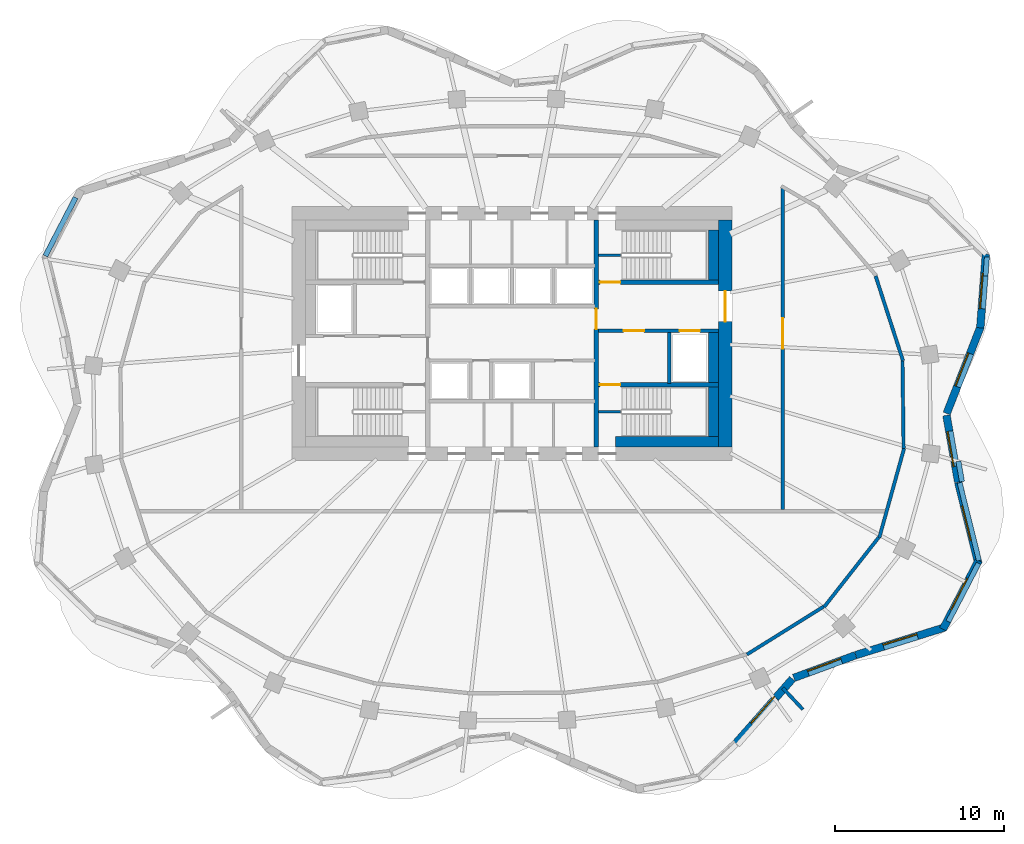
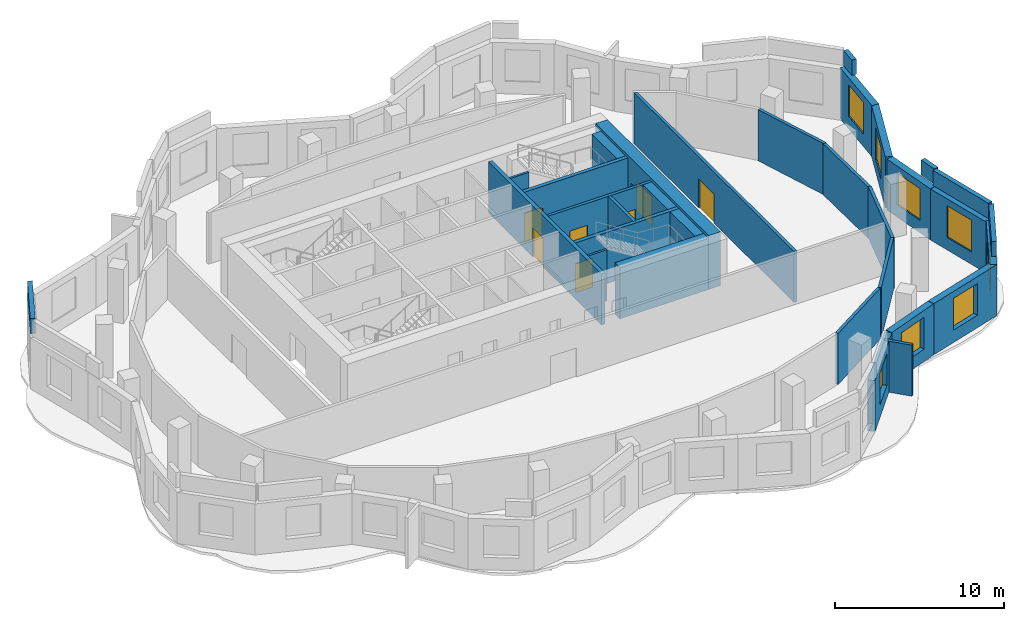
# One storey, part 5 of 8: 32 walls, 8 windows, 7 doors, 15 openings.
"""IFC4 building model written with IfcOpenShell, lengths in metres."""

import ifcopenshell
import ifcopenshell.guid

model = None  # the IFC model being written
_history = None  # IfcOwnerHistory: only IFC2X3 demands one
_inside = {}  # id of a spatial element -> (the spatial element, [elements in it])
_under = {}  # id of a project, library or spatial element -> (it, [spatial elements below it])
_declared = {}  # id of a project -> (the project, [libraries it declares])
_typed = {}  # id of a type object -> (the type object, [elements of that type])
_made_of = {}  # id of a material, layer set ... -> (it, [elements and type objects made of it])


def new_model(schema):
    """Start an empty IFC model of exactly this schema.

    Asked for "IFC4X3", IfcOpenShell would pick the latest addendum, in which some entities
    have other attributes; the version numbers below select the first issue.
    IFC2X3 requires an IfcOwnerHistory on every rooted entity: one is made here for all.
    """
    global model, _history
    if schema == "IFC4X3":
        model = ifcopenshell.file(schema_version=(4, 3, 0, 0))
    else:
        model = ifcopenshell.file(schema=schema)
    _inside.clear()
    _under.clear()
    _declared.clear()
    _typed.clear()
    _made_of.clear()
    _history = None
    if model.schema == "IFC2X3":
        org = make("IfcOrganization", Name="unknown")
        user = make(
            "IfcPersonAndOrganization",
            ThePerson=make("IfcPerson", FamilyName="unknown"),
            TheOrganization=org,
        )
        app = make(
            "IfcApplication",
            ApplicationDeveloper=org,
            Version="unknown",
            ApplicationFullName="unknown",
            ApplicationIdentifier="unknown",
        )
        _history = make(
            "IfcOwnerHistory",
            OwningUser=user,
            OwningApplication=app,
            ChangeAction="ADDED",
            CreationDate=0,
        )
    return model


def make(cls, **values):
    """One entity of the class cls with the attributes given. An attribute that is None is left unset."""
    return model.create_entity(
        cls, **{name: value for name, value in values.items() if value is not None}
    )


def rooted(cls, **values):
    """An entity with a GlobalId (a new one), such as an element, a storey or a relation."""
    return make(cls, GlobalId=ifcopenshell.guid.new(), OwnerHistory=_history, **values)


def si_unit(unit_type, name, prefix=None):
    """IfcSIUnit, for example si_unit("LENGTHUNIT", "METRE", prefix="MILLI")."""
    return make("IfcSIUnit", UnitType=unit_type, Prefix=prefix, Name=name)


def assignment(units):
    """IfcUnitAssignment: the units of a project."""
    return None if units is None else make("IfcUnitAssignment", Units=units)


def point(xyz):
    """IfcCartesianPoint."""
    return None if xyz is None else make("IfcCartesianPoint", Coordinates=xyz)


def direction(xyz):
    """IfcDirection."""
    return None if xyz is None else make("IfcDirection", DirectionRatios=xyz)


def frame(location, z_axis=None, x_axis=None):
    """IfcAxis2Placement3D, a coordinate frame: its origin and axes. An axis left out is left unset."""
    return make(
        "IfcAxis2Placement3D",
        Location=point(location),
        Axis=direction(z_axis),
        RefDirection=direction(x_axis),
    )


def frame_2d(location, x_axis=None):
    """IfcAxis2Placement2D, a coordinate frame in the plane: its origin and x axis."""
    return make(
        "IfcAxis2Placement2D", Location=point(location), RefDirection=direction(x_axis)
    )


def origin():
    """The frame at (0, 0, 0) with its axes left unset."""
    return frame((0.0, 0.0, 0.0))


def place(relative_to, where):
    """IfcLocalPlacement: puts the frame where relative to a parent placement (None: the world)."""
    return make(
        "IfcLocalPlacement", PlacementRelTo=relative_to, RelativePlacement=where
    )


def context(
    kind, dimensions, precision=None, world=None, true_north=None, identifier=None
):
    """IfcGeometricRepresentationContext, for example the 3D "Model" context."""
    return make(
        "IfcGeometricRepresentationContext",
        ContextIdentifier=identifier,
        ContextType=kind,
        CoordinateSpaceDimension=dimensions,
        Precision=precision,
        WorldCoordinateSystem=world,
        TrueNorth=true_north,
    )


def subcontext(parent, identifier, kind, view, scale=None):
    """IfcGeometricRepresentationSubContext, for example "Body" below "Model"."""
    return make(
        "IfcGeometricRepresentationSubContext",
        ContextIdentifier=identifier,
        ContextType=kind,
        ParentContext=parent,
        TargetScale=scale,
        TargetView=view,
    )


def project(units=None, contexts=None):
    """IfcProject with its units and contexts."""
    return rooted(
        "IfcProject",
        Name="project",
        RepresentationContexts=contexts,
        UnitsInContext=assignment(units),
    )


def spatial(cls, under=None, at=None, **own):
    """A site, building, storey or space (cls), placed at a placement, below another one or the project."""
    s = rooted(cls, ObjectPlacement=at, **own)
    if under is not None:
        _under.setdefault(under.id(), (under, []))[1].append(s)
    return s


def profile(cls, at=None, kind="AREA", **sizes):
    """A parametric profile (cls). Its sizes go by their IFC names, for example OverallWidth=200.0."""
    return make(cls, ProfileType=kind, Position=at, **sizes)


def rectangle(**sizes):
    """IfcRectangleProfileDef."""
    return profile("IfcRectangleProfileDef", **sizes)


def extrude(swept, where, along, depth):
    """IfcExtrudedAreaSolid: the profile swept, set in the frame where, extruded along a direction by depth."""
    return make(
        "IfcExtrudedAreaSolid",
        SweptArea=swept,
        Position=where,
        ExtrudedDirection=direction(along),
        Depth=depth,
    )


def shape(context_of_items, identifier, shape_type, items):
    """IfcShapeRepresentation: the items that make up one representation, for example the "Body"."""
    return make(
        "IfcShapeRepresentation",
        ContextOfItems=context_of_items,
        RepresentationIdentifier=identifier,
        RepresentationType=shape_type,
        Items=items,
    )


def material(Name=None, Category=None):
    """IfcMaterial."""
    return make("IfcMaterial", Name=Name, Category=Category)


def layer(
    of_material, thickness, ventilated=None, Name=None, Category=None, Priority=None
):
    """IfcMaterialLayer: one layer of a wall or slab, of a material (None: an air gap)."""
    return make(
        "IfcMaterialLayer",
        Material=of_material,
        LayerThickness=thickness,
        IsVentilated=ventilated,
        Name=Name,
        Category=Category,
        Priority=Priority,
    )


def layer_set(layers, Name=None):
    """IfcMaterialLayerSet."""
    return make("IfcMaterialLayerSet", MaterialLayers=layers, LayerSetName=Name)


def made_of(thing, what):
    """Note that an element or type object is made of a material, layer set ...; save() writes the relation."""
    if what is not None:
        _made_of.setdefault(what.id(), (what, []))[1].append(thing)
    return thing


def type_object(cls, material=None, **own):
    """A type object (cls), such as IfcWallType, which elements share."""
    return made_of(rooted(cls, **own), material)


def element(
    cls,
    number,
    at=None,
    inside=None,
    cuts=None,
    type_object=None,
    material=None,
    context=None,
    identifier="Body",
    shape_type=None,
    held_by="IfcProductDefinitionShape",
    body=None,
    shapes=None,
    **own,
):
    """One element of the class cls, such as IfcWall. Its Tag is "e" and its number.

    at: its placement. inside: the storey or other place that contains it. cuts: it is an
    opening in that element (IfcRelVoidsElement). A single representation is given by context,
    identifier, shape_type and body (its items); several are given by shapes. held_by: the class
    of the entity that holds the representations. save() writes the other relations.
    """
    e = rooted(cls, Tag="e%d" % number, ObjectPlacement=at, **own)
    if body is not None:
        shapes = [shape(context, identifier, shape_type, body)]
    if shapes is not None:
        e.Representation = make(held_by, Representations=shapes)
    if inside is not None:
        _inside.setdefault(inside.id(), (inside, []))[1].append(e)
    if cuts is not None:
        rooted(
            "IfcRelVoidsElement", RelatingBuildingElement=cuts, RelatedOpeningElement=e
        )
    if type_object is not None:
        _typed.setdefault(type_object.id(), (type_object, []))[1].append(e)
    return made_of(e, material)


def fill(opening, filler):
    """IfcRelFillsElement: the door or window that sits in an opening."""
    return rooted(
        "IfcRelFillsElement",
        RelatingOpeningElement=opening,
        RelatedBuildingElement=filler,
    )


def aggregate(whole, parts):
    """IfcRelAggregates: a whole, such as a stair, and the parts it consists of."""
    return rooted("IfcRelAggregates", RelatingObject=whole, RelatedObjects=parts)


def save(model, path):
    """Write the relations noted so far, then the file.

    IfcRelAggregates (storeys below a building ...), IfcRelContainedInSpatialStructure (elements
    in a storey), IfcRelDefinesByType, IfcRelAssociatesMaterial and IfcRelDeclares: one each for
    every whole, place, type object, material and project.
    """
    for whole, parts in _under.values():
        aggregate(whole, parts)
    for where, things in _inside.values():
        rooted(
            "IfcRelContainedInSpatialStructure",
            RelatedElements=things,
            RelatingStructure=where,
        )
    for kind, things in _typed.values():
        rooted("IfcRelDefinesByType", RelatedObjects=things, RelatingType=kind)
    for what, things in _made_of.values():
        rooted("IfcRelAssociatesMaterial", RelatedObjects=things, RelatingMaterial=what)
    for by, libraries in _declared.values():
        rooted("IfcRelDeclares", RelatingContext=by, RelatedDefinitions=libraries)
    model.write(path)


model = new_model("IFC4")

# Units and contexts
model_context = context("Model", 3, precision=1e-05, world=origin(), true_north=direction((0.0, 1.0)))
body_context = subcontext(model_context, "Body", "Model", "MODEL_VIEW")
ifc_project = project(units=[si_unit("LENGTHUNIT", "METRE"), si_unit("AREAUNIT", "SQUARE_METRE"), si_unit("VOLUMEUNIT", "CUBIC_METRE"), si_unit("PLANEANGLEUNIT", "RADIAN"), si_unit("MASSUNIT", "GRAM", prefix="KILO")], contexts=[model_context])

# Site, building, storey
site_placement = place(None, origin())
site = spatial("IfcSite", under=ifc_project, at=site_placement, CompositionType="ELEMENT")
building_placement = place(site_placement, origin())
building = spatial("IfcBuilding", under=site, at=building_placement, Name="Rubra Terraces Tower", CompositionType="ELEMENT")
storey_placement = place(building_placement, frame((0.0, 0.0, 240.89990234375)))
storey = spatial("IfcBuildingStorey", under=building, at=storey_placement, Name="L59", CompositionType="ELEMENT", Elevation=240.89990234375)

# Wall, opening, window
ifc_material_1 = material(Name="Brick masonry red-brown", Category="masonry")
ifc_layer_1 = layer(ifc_material_1, 0.449951171875)
ifc_layer_set_1 = layer_set([ifc_layer_1], Name="Brick masonry red-brown")
wall_type_1 = type_object("IfcWallType", Name="Brick facade wall 450", PredefinedType="SOLIDWALL", material=ifc_layer_set_1)
wall_1_placement = place(storey_placement, frame((25.68701171875, -0.226318359375, 0.0), z_axis=(0.0, 0.0, 1.0), x_axis=(0.363500194409, 0.931594122279, 0.0)))
wall_1 = element("IfcWall", 1, at=wall_1_placement, inside=storey, type_object=wall_type_1, Name="Facade wall L59 bay 1", PredefinedType="SOLIDWALL", context=body_context, shape_type="SweptSolid", body=[
    extrude(rectangle(XDim=5.498779296875, YDim=0.449951171875, at=frame_2d((2.74951171875, 0.0))), origin(), (0.0, 0.0, 1.0), 3.7001953125),
])
opening_1_placement = place(wall_1_placement, frame((1.69921875, 0.0, 0.89990234375)))
opening_1 = element("IfcOpeningElement", 2, at=opening_1_placement, cuts=wall_1, Name="Opening W1B", PredefinedType="OPENING", context=body_context, shape_type="SweptSolid", body=[
    extrude(rectangle(XDim=2.10009765625, YDim=2.300048828125, at=frame_2d((1.050048828125, 1.14990234375))), frame((0.0, 0.23486328125, 0.0), z_axis=(0.0, -1.0, 0.0), x_axis=(1.0, 0.0, 0.0)), (0.0, 0.0, 1.0), 0.469970703125),
])
ifc_material_2 = material(Name="Clear glass in aluminium frame", Category="aluminium")
window_type = type_object("IfcWindowType", Name="Fixed deep-set window tall storey 2100 x 2300", PartitioningType="SINGLE_PANEL", PredefinedType="WINDOW", material=ifc_material_2)
window_1_placement = place(opening_1_placement, origin())
window_1 = element("IfcWindow", 3, at=window_1_placement, inside=storey, type_object=window_type, Name="Window L59 bay 1", OverallHeight=2.300048828125, OverallWidth=2.10009765625, PartitioningType="SINGLE_PANEL", PredefinedType="WINDOW", context=body_context, shape_type="SweptSolid", body=[
    extrude(rectangle(XDim=2.10009765625, YDim=2.300048828125, at=frame_2d((1.050048828125, 1.14990234375))), frame((0.0, 0.135009765625, 0.0), z_axis=(0.0, -1.0, 0.0), x_axis=(1.0, 0.0, 0.0)), (0.0, 0.0, 1.0), 0.06005859375),
])
fill(opening_1, window_1)

wall_2_placement = place(storey_placement, frame((27.671142578125, 4.831298828125, 0.0), z_axis=(0.0, 0.0, 1.0), x_axis=(0.075658122047, 0.997133816781, 0.0)))
wall_2 = element("IfcWall", 4, at=wall_2_placement, inside=storey, type_object=wall_type_1, Name="Facade wall L59 bay 2", PredefinedType="SOLIDWALL", context=body_context, shape_type="SweptSolid", body=[
    extrude(rectangle(XDim=4.369140625, YDim=0.449951171875, at=frame_2d((2.1845703125, 0.0))), origin(), (0.0, 0.0, 1.0), 3.7001953125),
])
opening_2_placement = place(wall_2_placement, frame((1.134521484375, 0.0, 0.89990234375)))
opening_2 = element("IfcOpeningElement", 5, at=opening_2_placement, cuts=wall_2, Name="Opening W1B", PredefinedType="OPENING", context=body_context, shape_type="SweptSolid", body=[
    extrude(rectangle(XDim=2.10009765625, YDim=2.300048828125, at=frame_2d((1.050048828125, 1.14990234375))), frame((0.0, 0.23486328125, 0.0), z_axis=(0.0, -1.0, 0.0), x_axis=(1.0, 0.0, 0.0)), (0.0, 0.0, 1.0), 0.469970703125),
])
window_2_placement = place(opening_2_placement, origin())
window_2 = element("IfcWindow", 6, at=window_2_placement, inside=storey, type_object=window_type, Name="Window L59 bay 2", OverallHeight=2.300048828125, OverallWidth=2.10009765625, PartitioningType="SINGLE_PANEL", PredefinedType="WINDOW", context=body_context, shape_type="SweptSolid", body=[
    extrude(rectangle(XDim=2.10009765625, YDim=2.300048828125, at=frame_2d((1.050048828125, 1.14990234375))), frame((0.0, 0.135009765625, 0.0), z_axis=(0.0, -1.0, 0.0), x_axis=(1.0, 0.0, 0.0)), (0.0, 0.0, 1.0), 0.06005859375),
])
fill(opening_2, window_2)

wall_3_placement = place(storey_placement, frame((13.221435546875, -19.71923828125, 0.0), z_axis=(0.0, 0.0, 1.0), x_axis=(0.660424908916, 0.750892095899, 0.0)))
wall_3 = element("IfcWall", 7, at=wall_3_placement, inside=storey, type_object=wall_type_1, Name="Facade wall L59 bay 35", PredefinedType="SOLIDWALL", context=body_context, shape_type="SweptSolid", body=[
    extrude(rectangle(XDim=5.07080078125, YDim=0.449951171875, at=frame_2d((2.535400390625, 0.0))), origin(), (0.0, 0.0, 1.0), 3.7001953125),
])
opening_3_placement = place(wall_3_placement, frame((1.4853515625, 0.0, 0.89990234375)))
opening_3 = element("IfcOpeningElement", 8, at=opening_3_placement, cuts=wall_3, Name="Opening W1B", PredefinedType="OPENING", context=body_context, shape_type="SweptSolid", body=[
    extrude(rectangle(XDim=2.10009765625, YDim=2.300048828125, at=frame_2d((1.050048828125, 1.14990234375))), frame((0.0, 0.23486328125, 0.0), z_axis=(0.0, -1.0, 0.0), x_axis=(1.0, 0.0, 0.0)), (0.0, 0.0, 1.0), 0.469970703125),
])
window_3_placement = place(opening_3_placement, origin())
window_3 = element("IfcWindow", 9, at=window_3_placement, inside=storey, type_object=window_type, Name="Window L59 bay 35", OverallHeight=2.300048828125, OverallWidth=2.10009765625, PartitioningType="SINGLE_PANEL", PredefinedType="WINDOW", context=body_context, shape_type="SweptSolid", body=[
    extrude(rectangle(XDim=2.10009765625, YDim=2.300048828125, at=frame_2d((1.050048828125, 1.14990234375))), frame((0.0, 0.135009765625, 0.0), z_axis=(0.0, -1.0, 0.0), x_axis=(1.0, 0.0, 0.0)), (0.0, 0.0, 1.0), 0.06005859375),
])
fill(opening_3, window_3)

wall_4_placement = place(storey_placement, frame((16.654052734375, -15.85205078125, 0.0), z_axis=(0.0, 0.0, 1.0), x_axis=(0.938636568132, 0.344907803572, 0.0)))
wall_4 = element("IfcWall", 10, at=wall_4_placement, inside=storey, type_object=wall_type_1, Name="Facade wall L59 bay 36", PredefinedType="SOLIDWALL", context=body_context, shape_type="SweptSolid", body=[
    extrude(rectangle(XDim=3.887451171875, YDim=0.449951171875, at=frame_2d((1.94384765625, 0.0))), origin(), (0.0, 0.0, 1.0), 3.7001953125),
])
opening_4_placement = place(wall_4_placement, frame((0.893798828125, 0.0, 0.89990234375)))
opening_4 = element("IfcOpeningElement", 11, at=opening_4_placement, cuts=wall_4, Name="Opening W1B", PredefinedType="OPENING", context=body_context, shape_type="SweptSolid", body=[
    extrude(rectangle(XDim=2.10009765625, YDim=2.300048828125, at=frame_2d((1.050048828125, 1.14990234375))), frame((0.0, 0.23486328125, 0.0), z_axis=(0.0, -1.0, 0.0), x_axis=(1.0, 0.0, 0.0)), (0.0, 0.0, 1.0), 0.469970703125),
])
window_4_placement = place(opening_4_placement, origin())
window_4 = element("IfcWindow", 12, at=window_4_placement, inside=storey, type_object=window_type, Name="Window L59 bay 36", OverallHeight=2.300048828125, OverallWidth=2.10009765625, PartitioningType="SINGLE_PANEL", PredefinedType="WINDOW", context=body_context, shape_type="SweptSolid", body=[
    extrude(rectangle(XDim=2.10009765625, YDim=2.300048828125, at=frame_2d((1.050048828125, 1.14990234375))), frame((0.0, 0.135009765625, 0.0), z_axis=(0.0, -1.0, 0.0), x_axis=(1.0, 0.0, 0.0)), (0.0, 0.0, 1.0), 0.06005859375),
])
fill(opening_4, window_4)

wall_5_placement = place(storey_placement, frame((20.31591796875, -14.506591796875, 0.0), z_axis=(0.0, 0.0, 1.0), x_axis=(0.954807195185, 0.297225873743, 0.0)))
wall_5 = element("IfcWall", 13, at=wall_5_placement, inside=storey, type_object=wall_type_1, Name="Facade wall L59 bay 37", PredefinedType="SOLIDWALL", context=body_context, shape_type="SweptSolid", body=[
    extrude(rectangle(XDim=5.5263671875, YDim=0.449951171875, at=frame_2d((2.76318359375, 0.0))), origin(), (0.0, 0.0, 1.0), 3.7001953125),
])
opening_5_placement = place(wall_5_placement, frame((1.713134765625, 0.0, 0.89990234375)))
opening_5 = element("IfcOpeningElement", 14, at=opening_5_placement, cuts=wall_5, Name="Opening W1B", PredefinedType="OPENING", context=body_context, shape_type="SweptSolid", body=[
    extrude(rectangle(XDim=2.10009765625, YDim=2.300048828125, at=frame_2d((1.050048828125, 1.14990234375))), frame((0.0, 0.23486328125, 0.0), z_axis=(0.0, -1.0, 0.0), x_axis=(1.0, 0.0, 0.0)), (0.0, 0.0, 1.0), 0.469970703125),
])
window_5_placement = place(opening_5_placement, origin())
window_5 = element("IfcWindow", 15, at=window_5_placement, inside=storey, type_object=window_type, Name="Window L59 bay 37", OverallHeight=2.300048828125, OverallWidth=2.10009765625, PartitioningType="SINGLE_PANEL", PredefinedType="WINDOW", context=body_context, shape_type="SweptSolid", body=[
    extrude(rectangle(XDim=2.10009765625, YDim=2.300048828125, at=frame_2d((1.050048828125, 1.14990234375))), frame((0.0, 0.135009765625, 0.0), z_axis=(0.0, -1.0, 0.0), x_axis=(1.0, 0.0, 0.0)), (0.0, 0.0, 1.0), 0.06005859375),
])
fill(opening_5, window_5)

wall_6_placement = place(storey_placement, frame((25.46533203125, -12.97314453125, 0.0), z_axis=(0.0, 0.0, 1.0), x_axis=(0.461288789222, 0.887250050965, 0.0)))
wall_6 = element("IfcWall", 16, at=wall_6_placement, inside=storey, type_object=wall_type_1, Name="Facade wall L59 bay 38", PredefinedType="SOLIDWALL", context=body_context, shape_type="SweptSolid", body=[
    extrude(rectangle(XDim=4.568115234375, YDim=0.449951171875, at=frame_2d((2.2841796875, 0.0))), origin(), (0.0, 0.0, 1.0), 3.7001953125),
])
opening_6_placement = place(wall_6_placement, frame((1.23388671875, 0.0, 0.89990234375)))
opening_6 = element("IfcOpeningElement", 17, at=opening_6_placement, cuts=wall_6, Name="Opening W1B", PredefinedType="OPENING", context=body_context, shape_type="SweptSolid", body=[
    extrude(rectangle(XDim=2.10009765625, YDim=2.300048828125, at=frame_2d((1.050048828125, 1.14990234375))), frame((0.0, 0.23486328125, 0.0), z_axis=(0.0, -1.0, 0.0), x_axis=(1.0, 0.0, 0.0)), (0.0, 0.0, 1.0), 0.469970703125),
])
window_6_placement = place(opening_6_placement, origin())
window_6 = element("IfcWindow", 18, at=window_6_placement, inside=storey, type_object=window_type, Name="Window L59 bay 38", OverallHeight=2.300048828125, OverallWidth=2.10009765625, PartitioningType="SINGLE_PANEL", PredefinedType="WINDOW", context=body_context, shape_type="SweptSolid", body=[
    extrude(rectangle(XDim=2.10009765625, YDim=2.300048828125, at=frame_2d((1.050048828125, 1.14990234375))), frame((0.0, 0.135009765625, 0.0), z_axis=(0.0, -1.0, 0.0), x_axis=(1.0, 0.0, 0.0)), (0.0, 0.0, 1.0), 0.06005859375),
])
fill(opening_6, window_6)

wall_7_placement = place(storey_placement, frame((27.552001953125, -9.07177734375, 0.0), z_axis=(0.0, 0.0, 1.0), x_axis=(-0.240629941406, 0.970616933347, 0.0)))
wall_7 = element("IfcWall", 19, at=wall_7_placement, inside=storey, type_object=wall_type_1, Name="Facade wall L59 bay 39", PredefinedType="SOLIDWALL", context=body_context, shape_type="SweptSolid", body=[
    extrude(rectangle(XDim=4.91455078125, YDim=0.449951171875, at=frame_2d((2.457275390625, 0.0))), origin(), (0.0, 0.0, 1.0), 3.7001953125),
])
opening_7_placement = place(wall_7_placement, frame((1.407470703125, 0.0, 0.89990234375)))
opening_7 = element("IfcOpeningElement", 20, at=opening_7_placement, cuts=wall_7, Name="Opening W1B", PredefinedType="OPENING", context=body_context, shape_type="SweptSolid", body=[
    extrude(rectangle(XDim=2.10009765625, YDim=2.300048828125, at=frame_2d((1.050048828125, 1.14990234375))), frame((0.0, 0.23486328125, 0.0), z_axis=(0.0, -1.0, 0.0), x_axis=(1.0, 0.0, 0.0)), (0.0, 0.0, 1.0), 0.469970703125),
])
window_7_placement = place(opening_7_placement, origin())
window_7 = element("IfcWindow", 21, at=window_7_placement, inside=storey, type_object=window_type, Name="Window L59 bay 39", OverallHeight=2.300048828125, OverallWidth=2.10009765625, PartitioningType="SINGLE_PANEL", PredefinedType="WINDOW", context=body_context, shape_type="SweptSolid", body=[
    extrude(rectangle(XDim=2.10009765625, YDim=2.300048828125, at=frame_2d((1.050048828125, 1.14990234375))), frame((0.0, 0.135009765625, 0.0), z_axis=(0.0, -1.0, 0.0), x_axis=(1.0, 0.0, 0.0)), (0.0, 0.0, 1.0), 0.06005859375),
])
fill(opening_7, window_7)

wall_8_placement = place(storey_placement, frame((26.3662109375, -4.28466796875, 0.0), z_axis=(0.0, 0.0, 1.0), x_axis=(-0.172902168926, 0.984939003178, 0.0)))
wall_8 = element("IfcWall", 22, at=wall_8_placement, inside=storey, type_object=wall_type_1, Name="Facade wall L59 bay 40", PredefinedType="SOLIDWALL", context=body_context, shape_type="SweptSolid", body=[
    extrude(rectangle(XDim=4.005859375, YDim=0.449951171875, at=frame_2d((2.0029296875, 0.0))), origin(), (0.0, 0.0, 1.0), 3.7001953125),
])
opening_8_placement = place(wall_8_placement, frame((0.952880859375, 0.0, 0.89990234375)))
opening_8 = element("IfcOpeningElement", 23, at=opening_8_placement, cuts=wall_8, Name="Opening W1B", PredefinedType="OPENING", context=body_context, shape_type="SweptSolid", body=[
    extrude(rectangle(XDim=2.10009765625, YDim=2.300048828125, at=frame_2d((1.050048828125, 1.14990234375))), frame((0.0, 0.23486328125, 0.0), z_axis=(0.0, -1.0, 0.0), x_axis=(1.0, 0.0, 0.0)), (0.0, 0.0, 1.0), 0.469970703125),
])
window_8_placement = place(opening_8_placement, origin())
window_8 = element("IfcWindow", 24, at=window_8_placement, inside=storey, type_object=window_type, Name="Window L59 bay 40", OverallHeight=2.300048828125, OverallWidth=2.10009765625, PartitioningType="SINGLE_PANEL", PredefinedType="WINDOW", context=body_context, shape_type="SweptSolid", body=[
    extrude(rectangle(XDim=2.10009765625, YDim=2.300048828125, at=frame_2d((1.050048828125, 1.14990234375))), frame((0.0, 0.135009765625, 0.0), z_axis=(0.0, -1.0, 0.0), x_axis=(1.0, 0.0, 0.0)), (0.0, 0.0, 1.0), 0.06005859375),
])
fill(opening_8, window_8)

# Walls
ifc_layer_2 = layer(ifc_material_1, 0.300048828125)
ifc_layer_set_2 = layer_set([ifc_layer_2], Name="Brick masonry red-brown")
wall_type_2 = type_object("IfcWallType", Name="Brick parapet 300", PredefinedType="PARAPET", material=ifc_layer_set_2)
wall_9_placement = place(storey_placement, frame((27.978515625, 7.892333984375, 3.900146484375), z_axis=(0.0, 0.0, 1.0), x_axis=(0.075750382553, 0.997126812167, 0.0)))
element("IfcWall", 25, at=wall_9_placement, inside=storey, type_object=wall_type_2, Name="Parapet L59 bay 2", PredefinedType="PARAPET", context=body_context, shape_type="SweptSolid", body=[
    extrude(rectangle(XDim=1.124755859375, YDim=0.300048828125, at=frame_2d((0.5625, 0.0))), origin(), (0.0, 0.0, 1.0), 1.099853515625),
])
for number, where, z_axis, x_axis, name in (
    (26, (-25.781982421875, 12.52685546875, 3.900146484375), (0.0, 0.0, 1.0), (-0.461218103562, -0.88728679746, 0.0), "Parapet L59 bay 18"),
    (27, (25.781982421875, -12.52685546875, 3.900146484375), (0.0, 0.0, 1.0), (0.461218103562, 0.88728679746, 0.0), "Parapet L59 bay 38"),
):
    element("IfcWall", number, at=place(storey_placement, frame(where, z_axis=z_axis, x_axis=x_axis)), inside=storey, type_object=wall_type_2, Name=name, PredefinedType="PARAPET", context=body_context, shape_type="SweptSolid", body=[
        extrude(rectangle(XDim=3.8828125, YDim=0.300048828125, at=frame_2d((1.94140625, 0.0))), origin(), (0.0, 0.0, 1.0), 1.099853515625),
    ])
wall_10_placement = place(storey_placement, frame((27.591796875, -8.9208984375, 3.900146484375), z_axis=(0.0, 0.0, 1.0), x_axis=(-0.240669381496, 0.970607154729, 0.0)))
element("IfcWall", 28, at=wall_10_placement, inside=storey, type_object=wall_type_2, Name="Parapet L59 bay 39", PredefinedType="PARAPET", context=body_context, shape_type="SweptSolid", body=[
    extrude(rectangle(XDim=4.741455078125, YDim=0.300048828125, at=frame_2d((2.37060546875, 0.0))), origin(), (0.0, 0.0, 1.0), 1.099853515625),
])
wall_11_placement = place(storey_placement, frame((26.589111328125, -4.253662109375, 3.900146484375), z_axis=(0.0, 0.0, 1.0), x_axis=(-0.172857566704, 0.984946831881, 0.0)))
element("IfcWall", 29, at=wall_11_placement, inside=storey, type_object=wall_type_2, Name="Parapet L59 bay 40", PredefinedType="PARAPET", context=body_context, shape_type="SweptSolid", body=[
    extrude(rectangle(XDim=1.216064453125, YDim=0.300048828125, at=frame_2d((0.60791015625, 0.0))), origin(), (0.0, 0.0, 1.0), 1.099853515625),
])
ifc_layer_3 = layer(ifc_material_1, 0.199951171875)
ifc_layer_set_3 = layer_set([ifc_layer_3], Name="Brick masonry red-brown")
wall_type_3 = type_object("IfcWallType", Name="Brick wind fin 200", PredefinedType="SOLIDWALL", material=ifc_layer_set_3)
wall_12_placement = place(storey_placement, frame((15.9951171875, -16.444091796875, 0.0), z_axis=(0.0, 0.0, 1.0), x_axis=(0.683852936488, -0.729619874494, 0.0)))
element("IfcWall", 30, at=wall_12_placement, inside=storey, type_object=wall_type_3, Name="Wind fin L59 21", PredefinedType="SOLIDWALL", context=body_context, shape_type="SweptSolid", body=[
    extrude(rectangle(XDim=1.749755859375, YDim=0.199951171875, at=frame_2d((0.875, 0.0))), origin(), (0.0, 0.0, 1.0), 3.7001953125),
])

# Wall, opening, door
ifc_material_3 = material(Name="Concrete C50", Category="concrete")
ifc_layer_4 = layer(ifc_material_3, 0.800048828125)
ifc_layer_set_4 = layer_set([ifc_layer_4], Name="Concrete C50")
wall_type_4 = type_object("IfcWallType", Name="CORE WALL 800 C50", PredefinedType="SHEAR", material=ifc_layer_set_4)
wall_13_placement = place(storey_placement, frame((12.60009765625, -2.199951171875, 0.0), z_axis=(0.0, 0.0, 1.0), x_axis=(0.0, 1.0, 0.0)))
wall_13 = element("IfcWall", 31, at=wall_13_placement, inside=storey, type_object=wall_type_4, Name="CORE WALL E L59", PredefinedType="SHEAR", context=body_context, shape_type="SweptSolid", body=[
    extrude(rectangle(XDim=13.39990234375, YDim=0.800048828125, at=frame_2d((6.699951171875, 0.0))), origin(), (0.0, 0.0, 1.0), 3.900146484375),
])
opening_9_placement = place(wall_13_placement, frame((7.39990234375, 0.0, 0.0)))
opening_9 = element("IfcOpeningElement", 32, at=opening_9_placement, cuts=wall_13, Name="Opening L59.C02", PredefinedType="OPENING", context=body_context, shape_type="SweptSolid", body=[
    extrude(rectangle(XDim=1.800048828125, YDim=2.10009765625, at=frame_2d((0.89990234375, 1.050048828125))), frame((0.0, 0.409912109375, 0.0), z_axis=(0.0, -1.0, 0.0), x_axis=(1.0, 0.0, 0.0)), (0.0, 0.0, 1.0), 0.820068359375),
])
ifc_material_4 = material(Name="Painted steel", Category="steel")
door_type_1 = type_object("IfcDoorType", Name="Fire door 1800x2100 double", OperationType="NOTDEFINED", PredefinedType="DOOR", material=ifc_material_4)
door_1_placement = place(opening_9_placement, origin())
door_1 = element("IfcDoor", 33, at=door_1_placement, inside=storey, type_object=door_type_1, Name="Core entrance door FF2", OperationType="DOUBLE_DOOR_SINGLE_SWING", OverallHeight=2.10009765625, OverallWidth=1.800048828125, PredefinedType="DOOR", context=body_context, shape_type="SweptSolid", body=[
    extrude(rectangle(XDim=1.800048828125, YDim=2.10009765625, at=frame_2d((0.89990234375, 1.050048828125))), frame((0.0, 0.02490234375, 0.0), z_axis=(0.0, -1.0, 0.0), x_axis=(1.0, 0.0, 0.0)), (0.0, 0.0, 1.0), 0.050048828125),
])
fill(opening_9, door_1)

# Walls
ifc_material_5 = material(Name="Concrete C40", Category="concrete")
ifc_layer_5 = layer(ifc_material_5, 0.60009765625)
ifc_layer_set_5 = layer_set([ifc_layer_5], Name="Concrete C40")
wall_type_5 = type_object("IfcWallType", Name="Core lining wall 600 concrete", PredefinedType="SOLIDWALL", material=ifc_layer_set_5)
wall_14_placement = place(storey_placement, frame((11.89990234375, 10.60009765625, 0.0), z_axis=(0.0, 0.0, 1.0), x_axis=(0.0, -1.0, 0.0)))
element("IfcWall", 34, at=wall_14_placement, inside=storey, type_object=wall_type_5, Name="CORE LINING WALL L59", PredefinedType="SOLIDWALL", context=body_context, shape_type="SweptSolid", body=[
    extrude(rectangle(XDim=2.9501953125, YDim=0.60009765625, at=frame_2d((1.47509765625, 0.0))), origin(), (0.0, 0.0, 1.0), 3.7001953125),
])
wall_15_placement = place(storey_placement, frame((11.89990234375, 4.550048828125, 0.0), z_axis=(0.0, 0.0, 1.0), x_axis=(0.0, -1.0, 0.0)))
element("IfcWall", 35, at=wall_15_placement, inside=storey, type_object=wall_type_5, Name="CORE LINING WALL L59", PredefinedType="SOLIDWALL", context=body_context, shape_type="SweptSolid", body=[
    extrude(rectangle(XDim=3.0, YDim=0.60009765625, at=frame_2d((1.5, 0.0))), origin(), (0.0, 0.0, 1.0), 3.7001953125),
])
wall_16_placement = place(storey_placement, frame((11.89990234375, 1.35009765625, 0.0), z_axis=(0.0, 0.0, 1.0), x_axis=(0.0, -1.0, 0.0)))
element("IfcWall", 36, at=wall_16_placement, inside=storey, type_object=wall_type_5, Name="CORE LINING WALL L59", PredefinedType="SOLIDWALL", context=body_context, shape_type="SweptSolid", body=[
    extrude(rectangle(XDim=2.9501953125, YDim=0.60009765625, at=frame_2d((1.47509765625, 0.0))), origin(), (0.0, 0.0, 1.0), 3.7001953125),
])
wall_17_placement = place(storey_placement, frame((12.199951171875, -1.89990234375, 0.0), z_axis=(0.0, 0.0, 1.0), x_axis=(-1.0, 0.0, 0.0)))
element("IfcWall", 37, at=wall_17_placement, inside=storey, type_object=wall_type_5, Name="CORE LINING WALL L59", PredefinedType="SOLIDWALL", context=body_context, shape_type="SweptSolid", body=[
    extrude(rectangle(XDim=6.079833984375, YDim=0.60009765625, at=frame_2d((3.0400390625, 0.0))), origin(), (0.0, 0.0, 1.0), 3.7001953125),
])

# Wall, openings, doors
ifc_material_6 = material(Name="Concrete C30", Category="concrete")
ifc_layer_6 = layer(ifc_material_6, 0.199951171875)
ifc_layer_set_6 = layer_set([ifc_layer_6], Name="Concrete C30")
wall_type_6 = type_object("IfcWallType", Name="Core wall 200 concrete", PredefinedType="SOLIDWALL", material=ifc_layer_set_6)
wall_18_placement = place(storey_placement, frame((12.199951171875, 4.64990234375, 0.0), z_axis=(0.0, 0.0, 1.0), x_axis=(-1.0, 0.0, 0.0)))
wall_18 = element("IfcWall", 38, at=wall_18_placement, inside=storey, type_object=wall_type_6, Name="STAIR WALL L59", PredefinedType="SOLIDWALL", context=body_context, shape_type="SweptSolid", body=[
    extrude(rectangle(XDim=7.099853515625, YDim=0.199951171875, at=frame_2d((3.5498046875, 0.0))), origin(), (0.0, 0.0, 1.0), 3.7001953125),
])
opening_10_placement = place(wall_18_placement, frame((4.39990234375, 0.0, 0.0)))
opening_10 = element("IfcOpeningElement", 39, at=opening_10_placement, cuts=wall_18, Name="Opening L59.C06", PredefinedType="OPENING", context=body_context, shape_type="SweptSolid", body=[
    extrude(rectangle(XDim=1.199951171875, YDim=2.10009765625, at=frame_2d((0.60009765625, 1.050048828125))), frame((0.0, 0.10986328125, 0.0), z_axis=(0.0, -1.0, 0.0), x_axis=(1.0, 0.0, 0.0)), (0.0, 0.0, 1.0), 0.219970703125),
])
opening_11_placement = place(wall_18_placement, frame((1.10009765625, 0.0, 0.0)))
opening_11 = element("IfcOpeningElement", 40, at=opening_11_placement, cuts=wall_18, Name="Opening L59.C12", PredefinedType="OPENING", context=body_context, shape_type="SweptSolid", body=[
    extrude(rectangle(XDim=1.199951171875, YDim=2.10009765625, at=frame_2d((0.60009765625, 1.050048828125))), frame((0.0, 0.10986328125, 0.0), z_axis=(0.0, -1.0, 0.0), x_axis=(1.0, 0.0, 0.0)), (0.0, 0.0, 1.0), 0.219970703125),
])
door_type_2 = type_object("IfcDoorType", Name="Fire door 1200x2100 single", OperationType="NOTDEFINED", PredefinedType="DOOR", material=ifc_material_4)
door_2_placement = place(opening_10_placement, origin())
door_2 = element("IfcDoor", 41, at=door_2_placement, inside=storey, type_object=door_type_2, Name="Stair vestibule door S4", OperationType="SINGLE_SWING_RIGHT", OverallHeight=2.10009765625, OverallWidth=1.199951171875, PredefinedType="DOOR", context=body_context, shape_type="SweptSolid", body=[
    extrude(rectangle(XDim=1.199951171875, YDim=2.10009765625, at=frame_2d((0.60009765625, 1.050048828125))), frame((0.0, 0.02490234375, 0.0), z_axis=(0.0, -1.0, 0.0), x_axis=(1.0, 0.0, 0.0)), (0.0, 0.0, 1.0), 0.050048828125),
])
fill(opening_10, door_2)
ifc_material_7 = material(Name="Stainless steel", Category="steel")
door_type_3 = type_object("IfcDoorType", Name="Lift landing door 1200x2100", OperationType="NOTDEFINED", PredefinedType="DOOR", material=ifc_material_7)
door_3_placement = place(opening_11_placement, origin())
door_3 = element("IfcDoor", 42, at=door_3_placement, inside=storey, type_object=door_type_3, Name="Landing door FF2", OperationType="SLIDING_TO_RIGHT", OverallHeight=2.10009765625, OverallWidth=1.199951171875, PredefinedType="DOOR", context=body_context, shape_type="SweptSolid", body=[
    extrude(rectangle(XDim=1.199951171875, YDim=2.10009765625, at=frame_2d((0.60009765625, 1.050048828125))), frame((0.0, 0.02490234375, 0.0), z_axis=(0.0, -1.0, 0.0), x_axis=(1.0, 0.0, 0.0)), (0.0, 0.0, 1.0), 0.050048828125),
])
fill(opening_11, door_3)

# Walls
wall_19_placement = place(storey_placement, frame((9.300048828125, 4.550048828125, 0.0), z_axis=(0.0, 0.0, 1.0), x_axis=(0.0, -1.0, 0.0)))
element("IfcWall", 43, at=wall_19_placement, inside=storey, type_object=wall_type_6, Name="STAIR WALL L59", PredefinedType="SOLIDWALL", context=body_context, shape_type="SweptSolid", body=[
    extrude(rectangle(XDim=3.0, YDim=0.199951171875, at=frame_2d((1.5, 0.0))), origin(), (0.0, 0.0, 1.0), 3.7001953125),
])
ifc_material_8 = material(Name="Blockwork", Category="masonry")
ifc_layer_7 = layer(ifc_material_8, 0.199951171875)
ifc_layer_set_7 = layer_set([ifc_layer_7], Name="Blockwork")
wall_type_7 = type_object("IfcWallType", Name="Corridor partition 200 blockwork", PredefinedType="PARTITIONING", material=ifc_layer_set_7)
wall_20_placement = place(storey_placement, frame((23.1669921875, -2.294921875, 0.0), z_axis=(0.0, 0.0, 1.0), x_axis=(-0.267604764515, -0.963528769684, 0.0)))
element("IfcWall", 44, at=wall_20_placement, inside=storey, type_object=wall_type_7, Name="Partition wall", PredefinedType="PARTITIONING", context=body_context, shape_type="SweptSolid", body=[
    extrude(rectangle(XDim=5.474853515625, YDim=0.199951171875, at=frame_2d((2.7373046875, 0.0))), origin(), (0.0, 0.0, 1.0), 3.7001953125),
])
wall_21_placement = place(storey_placement, frame((21.6669921875, -7.552978515625, 0.0), z_axis=(0.0, 0.0, 1.0), x_axis=(-0.617143909163, -0.786850300491, 0.0)))
element("IfcWall", 45, at=wall_21_placement, inside=storey, type_object=wall_type_7, Name="Partition wall", PredefinedType="PARTITIONING", context=body_context, shape_type="SweptSolid", body=[
    extrude(rectangle(XDim=5.220703125, YDim=0.199951171875, at=frame_2d((2.6103515625, 0.0))), origin(), (0.0, 0.0, 1.0), 3.7001953125),
])
wall_22_placement = place(storey_placement, frame((18.422119140625, -11.635009765625, 0.0), z_axis=(0.0, 0.0, 1.0), x_axis=(-0.848223876435, -0.529637853108, 0.0)))
element("IfcWall", 46, at=wall_22_placement, inside=storey, type_object=wall_type_7, Name="Partition wall", PredefinedType="PARTITIONING", context=body_context, shape_type="SweptSolid", body=[
    extrude(rectangle(XDim=5.348876953125, YDim=0.199951171875, at=frame_2d((2.67431640625, 0.0))), origin(), (0.0, 0.0, 1.0), 3.7001953125),
])
wall_23_placement = place(storey_placement, frame((21.486083984375, 7.89501953125, 0.0), z_axis=(0.0, 0.0, 1.0), x_axis=(0.307481575482, -0.951554034587, 0.0)))
element("IfcWall", 47, at=wall_23_placement, inside=storey, type_object=wall_type_7, Name="Partition wall", PredefinedType="PARTITIONING", context=body_context, shape_type="SweptSolid", body=[
    extrude(rectangle(XDim=5.2587890625, YDim=0.199951171875, at=frame_2d((2.62939453125, 0.0))), origin(), (0.0, 0.0, 1.0), 3.7001953125),
])
wall_24_placement = place(storey_placement, frame((23.072998046875, 2.885986328125, 0.0), z_axis=(0.0, 0.0, 1.0), x_axis=(0.012731813994, -0.999918947171, 0.0)))
element("IfcWall", 48, at=wall_24_placement, inside=storey, type_object=wall_type_7, Name="Partition wall", PredefinedType="PARTITIONING", context=body_context, shape_type="SweptSolid", body=[
    extrude(rectangle(XDim=5.177490234375, YDim=0.199951171875, at=frame_2d((2.5888671875, 0.0))), origin(), (0.0, 0.0, 1.0), 3.7001953125),
])

# Wall, opening, door
wall_25_placement = place(storey_placement, frame((16.0, -5.89990234375, 0.0), z_axis=(0.0, 0.0, 1.0), x_axis=(0.0, 1.0, 0.0)))
wall_25 = element("IfcWall", 49, at=wall_25_placement, inside=storey, type_object=wall_type_7, Name="Partition wall", PredefinedType="PARTITIONING", context=body_context, shape_type="SweptSolid", body=[
    extrude(rectangle(XDim=18.951904296875, YDim=0.199951171875, at=frame_2d((9.47607421875, 0.0))), origin(), (0.0, 0.0, 1.0), 3.7001953125),
])
opening_12_placement = place(wall_25_placement, frame((9.5, 0.0, 0.0)))
opening_12 = element("IfcOpeningElement", 50, at=opening_12_placement, cuts=wall_25, Name="Opening DB3", PredefinedType="OPENING", context=body_context, shape_type="SweptSolid", body=[
    extrude(rectangle(XDim=1.800048828125, YDim=2.10009765625, at=frame_2d((0.89990234375, 1.050048828125))), frame((0.0, 0.10986328125, 0.0), z_axis=(0.0, -1.0, 0.0), x_axis=(1.0, 0.0, 0.0)), (0.0, 0.0, 1.0), 0.219970703125),
])
door_type_4 = type_object("IfcDoorType", Name="Door 1800x2100 double", OperationType="NOTDEFINED", PredefinedType="DOOR", material=ifc_material_4)
door_4_placement = place(opening_12_placement, origin())
door_4 = element("IfcDoor", 51, at=door_4_placement, inside=storey, type_object=door_type_4, Name="Refuge area door L59-03", OperationType="DOUBLE_DOOR_SINGLE_SWING", OverallHeight=2.10009765625, OverallWidth=1.800048828125, PredefinedType="DOOR", context=body_context, shape_type="SweptSolid", body=[
    extrude(rectangle(XDim=1.800048828125, YDim=2.10009765625, at=frame_2d((0.89990234375, 1.050048828125))), frame((0.0, 0.02490234375, 0.0), z_axis=(0.0, -1.0, 0.0), x_axis=(1.0, 0.0, 0.0)), (0.0, 0.0, 1.0), 0.050048828125),
])
fill(opening_12, door_4)

ifc_layer_8 = layer(ifc_material_5, 0.25)
ifc_layer_set_8 = layer_set([ifc_layer_8], Name="Concrete C40")
wall_type_8 = type_object("IfcWallType", Name="Stair enclosure wall 250 concrete", PredefinedType="SOLIDWALL", material=ifc_layer_set_8)
wall_26_placement = place(storey_placement, frame((12.199951171875, 7.52490234375, 0.0), z_axis=(0.0, 0.0, 1.0), x_axis=(-1.0, 0.0, 0.0)))
wall_26 = element("IfcWall", 52, at=wall_26_placement, inside=storey, type_object=wall_type_8, Name="STAIR WALL L59", PredefinedType="SOLIDWALL", context=body_context, shape_type="SweptSolid", body=[
    extrude(rectangle(XDim=7.099853515625, YDim=0.25, at=frame_2d((3.5498046875, 0.0))), origin(), (0.0, 0.0, 1.0), 3.7001953125),
])
opening_13_placement = place(wall_26_placement, frame((5.800048828125, 0.0, 0.0)))
opening_13 = element("IfcOpeningElement", 53, at=opening_13_placement, cuts=wall_26, Name="Opening L59.C08", PredefinedType="OPENING", context=body_context, shape_type="SweptSolid", body=[
    extrude(rectangle(XDim=1.199951171875, YDim=2.10009765625, at=frame_2d((0.60009765625, 1.050048828125))), frame((0.0, 0.135009765625, 0.0), z_axis=(0.0, -1.0, 0.0), x_axis=(1.0, 0.0, 0.0)), (0.0, 0.0, 1.0), 0.27001953125),
])
door_5_placement = place(opening_13_placement, origin())
door_5 = element("IfcDoor", 54, at=door_5_placement, inside=storey, type_object=door_type_2, Name="Stair door S3", OperationType="SINGLE_SWING_RIGHT", OverallHeight=2.10009765625, OverallWidth=1.199951171875, PredefinedType="DOOR", context=body_context, shape_type="SweptSolid", body=[
    extrude(rectangle(XDim=1.199951171875, YDim=2.10009765625, at=frame_2d((0.60009765625, 1.050048828125))), frame((0.0, 0.02490234375, 0.0), z_axis=(0.0, -1.0, 0.0), x_axis=(1.0, 0.0, 0.0)), (0.0, 0.0, 1.0), 0.050048828125),
])
fill(opening_13, door_5)

wall_27_placement = place(storey_placement, frame((12.199951171875, 1.47509765625, 0.0), z_axis=(0.0, 0.0, 1.0), x_axis=(-1.0, 0.0, 0.0)))
wall_27 = element("IfcWall", 55, at=wall_27_placement, inside=storey, type_object=wall_type_8, Name="STAIR WALL L59", PredefinedType="SOLIDWALL", context=body_context, shape_type="SweptSolid", body=[
    extrude(rectangle(XDim=7.099853515625, YDim=0.25, at=frame_2d((3.5498046875, 0.0))), origin(), (0.0, 0.0, 1.0), 3.7001953125),
])
opening_14_placement = place(wall_27_placement, frame((5.800048828125, 0.0, 0.0)))
opening_14 = element("IfcOpeningElement", 56, at=opening_14_placement, cuts=wall_27, Name="Opening L59.C10", PredefinedType="OPENING", context=body_context, shape_type="SweptSolid", body=[
    extrude(rectangle(XDim=1.199951171875, YDim=2.10009765625, at=frame_2d((0.60009765625, 1.050048828125))), frame((0.0, 0.135009765625, 0.0), z_axis=(0.0, -1.0, 0.0), x_axis=(1.0, 0.0, 0.0)), (0.0, 0.0, 1.0), 0.27001953125),
])
door_6_placement = place(opening_14_placement, origin())
door_6 = element("IfcDoor", 57, at=door_6_placement, inside=storey, type_object=door_type_2, Name="Stair door S4", OperationType="SINGLE_SWING_RIGHT", OverallHeight=2.10009765625, OverallWidth=1.199951171875, PredefinedType="DOOR", context=body_context, shape_type="SweptSolid", body=[
    extrude(rectangle(XDim=1.199951171875, YDim=2.10009765625, at=frame_2d((0.60009765625, 1.050048828125))), frame((0.0, 0.02490234375, 0.0), z_axis=(0.0, -1.0, 0.0), x_axis=(1.0, 0.0, 0.0)), (0.0, 0.0, 1.0), 0.050048828125),
])
fill(opening_14, door_6)

wall_28_placement = place(storey_placement, frame((4.97509765625, 11.199951171875, 0.0), z_axis=(0.0, 0.0, 1.0), x_axis=(0.0, -1.0, 0.0)))
wall_28 = element("IfcWall", 58, at=wall_28_placement, inside=storey, type_object=wall_type_8, Name="CORE LOBBY WALL L59", PredefinedType="SOLIDWALL", context=body_context, shape_type="SweptSolid", body=[
    extrude(rectangle(XDim=13.39990234375, YDim=0.25, at=frame_2d((6.699951171875, 0.0))), origin(), (0.0, 0.0, 1.0), 3.7001953125),
])
opening_15_placement = place(wall_28_placement, frame((5.25, 0.0, 0.0)))
opening_15 = element("IfcOpeningElement", 59, at=opening_15_placement, cuts=wall_28, Name="Opening L59.C04", PredefinedType="OPENING", context=body_context, shape_type="SweptSolid", body=[
    extrude(rectangle(XDim=1.199951171875, YDim=2.10009765625, at=frame_2d((0.60009765625, 1.050048828125))), frame((0.0, 0.135009765625, 0.0), z_axis=(0.0, -1.0, 0.0), x_axis=(1.0, 0.0, 0.0)), (0.0, 0.0, 1.0), 0.27001953125),
])
door_7_placement = place(opening_15_placement, origin())
door_7 = element("IfcDoor", 60, at=door_7_placement, inside=storey, type_object=door_type_2, Name="Firefighting lobby door FF2", OperationType="SINGLE_SWING_RIGHT", OverallHeight=2.10009765625, OverallWidth=1.199951171875, PredefinedType="DOOR", context=body_context, shape_type="SweptSolid", body=[
    extrude(rectangle(XDim=1.199951171875, YDim=2.10009765625, at=frame_2d((0.60009765625, 1.050048828125))), frame((0.0, 0.02490234375, 0.0), z_axis=(0.0, -1.0, 0.0), x_axis=(1.0, 0.0, 0.0)), (0.0, 0.0, 1.0), 0.050048828125),
])
fill(opening_15, door_7)

# Walls
ifc_layer_9 = layer(ifc_material_5, 0.14990234375)
ifc_layer_set_9 = layer_set([ifc_layer_9], Name="Concrete C40")
wall_type_9 = type_object("IfcWallType", Name="Stair separation wall 150 concrete", PredefinedType="SOLIDWALL", material=ifc_layer_set_9)
for number, where, z_axis, x_axis, name in (
    (61, (6.39990234375, 9.125, 0.0), (0.0, 0.0, 1.0), (-1.0, 0.0, 0.0), "STAIR SEPARATION WALL L59"),
    (62, (6.39990234375, -0.125, 0.0), (0.0, 0.0, 1.0), (-1.0, 0.0, 0.0), "STAIR SEPARATION WALL L59"),
):
    element("IfcWall", number, at=place(storey_placement, frame(where, z_axis=z_axis, x_axis=x_axis)), inside=storey, type_object=wall_type_9, Name=name, PredefinedType="SOLIDWALL", context=body_context, shape_type="SweptSolid", body=[
        extrude(rectangle(XDim=1.2998046875, YDim=0.14990234375, at=frame_2d((0.64990234375, 0.0))), origin(), (0.0, 0.0, 1.0), 3.7001953125),
    ])

save(model, "model.ifc")
